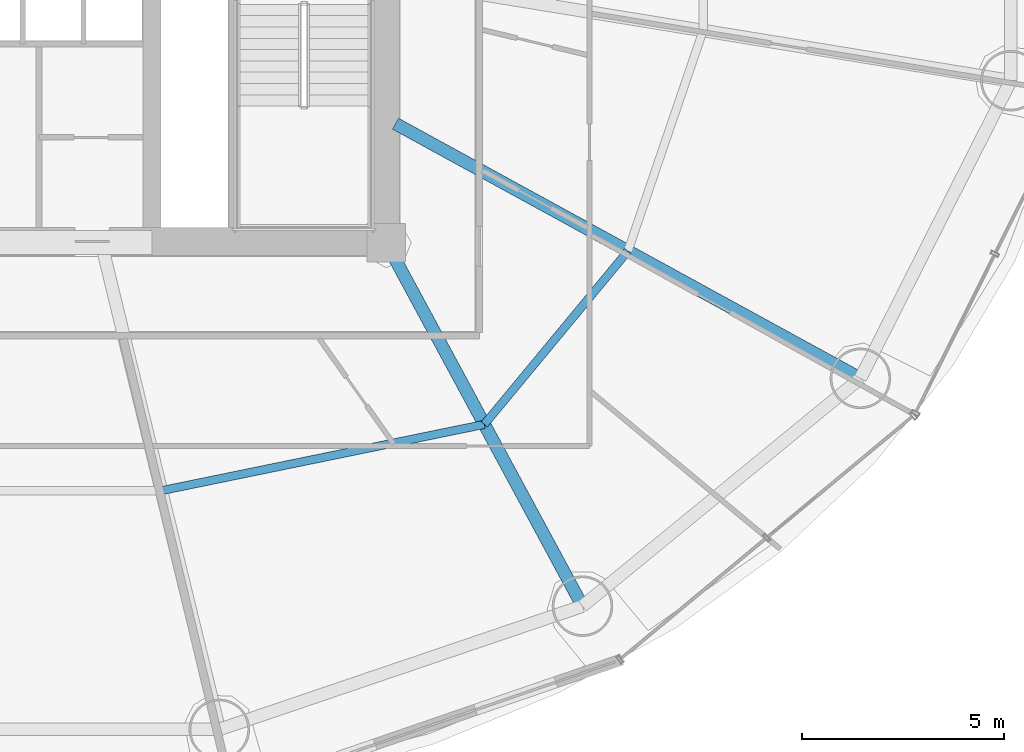
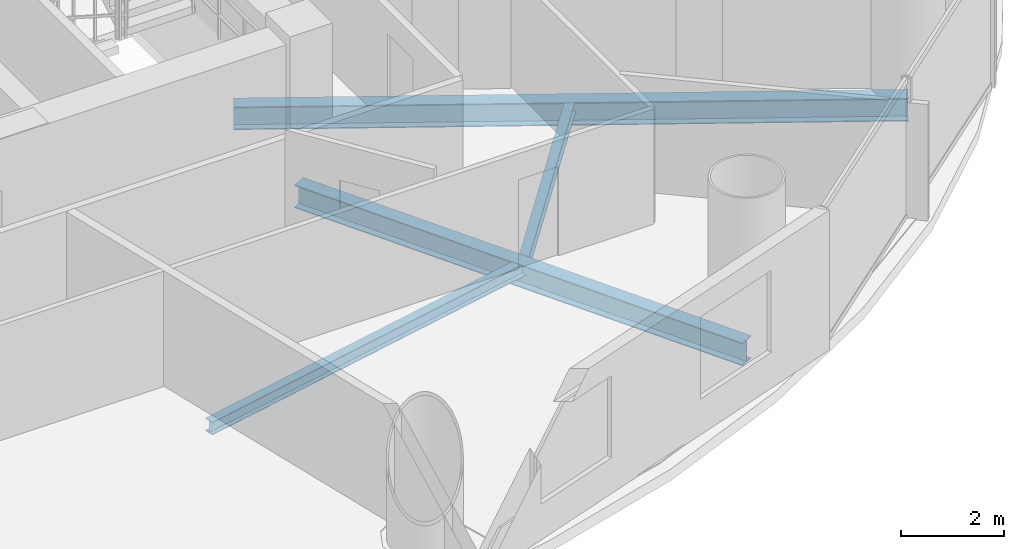
# One storey, part 12 of 29: 4 beams.
"""IFC4 building model written with IfcOpenShell, lengths in metres."""

from ifc_helpers import new_model, si_unit, direction, frame, origin, origin_2d, place, context, subcontext, project, spatial, i_section, extrude, material, material_profile, profile_set, type_object, element, save


model = new_model("IFC4")

# Units and contexts
model_context = context("Model", 3, precision=1e-05, world=origin(), true_north=direction((-0.2419218956, 0.970295726276)))
body_context = subcontext(model_context, "Body", "Model", "MODEL_VIEW")
ifc_project = project(units=[si_unit("LENGTHUNIT", "METRE"), si_unit("AREAUNIT", "SQUARE_METRE"), si_unit("VOLUMEUNIT", "CUBIC_METRE"), si_unit("PLANEANGLEUNIT", "RADIAN"), si_unit("MASSUNIT", "GRAM", prefix="KILO")], contexts=[model_context])

# Site, building, storey
site_placement = place(None, origin())
site = spatial("IfcSite", under=ifc_project, at=site_placement, CompositionType="ELEMENT")
building_placement = place(site_placement, origin())
building = spatial("IfcBuilding", under=site, at=building_placement, Name="Cobrevalo Terracotta Tower", CompositionType="ELEMENT")
storey_placement = place(building_placement, frame((0.0, 0.0, 87.0)))
storey = spatial("IfcBuildingStorey", under=building, at=storey_placement, Name="L22", CompositionType="ELEMENT", Elevation=87.0)

# Beams
ifc_material = material(Name="Steel S355", Category="steel")
ifc_material_profile_1 = material_profile(ifc_material, i_section(OverallWidth=0.31201171875, OverallDepth=0.54296875, WebThickness=0.0126953125, FlangeThickness=0.020263671875, at=origin_2d()), Name="W 530x150")
ifc_profile_set_1 = profile_set([ifc_material_profile_1], Name="Steel S355")
beam_type_1 = type_object("IfcBeamType", Name="Structural Beam W 530x150 (Steel S355)", PredefinedType="BEAM", material=ifc_profile_set_1)
beam_1_placement = place(storey_placement, frame((51.861572265625, 9.79638671875, -0.54638671875), z_axis=(-0.475118249298, 0.879921956303, 0.0), x_axis=(-0.879921956303, -0.475118249298, 0.0)))
element("IfcBeam", 1, at=beam_1_placement, inside=storey, type_object=beam_type_1, Name="L22 radial floor girder 14", PredefinedType="BEAM", context=body_context, shape_type="SweptSolid", body=[
    extrude(i_section(OverallWidth=0.31201171875, OverallDepth=0.54296875, WebThickness=0.0126953125, FlangeThickness=0.020263671875, at=origin_2d()), origin(), (0.0, 0.0, 1.0), 10.232421875),
])
beam_2_placement = place(storey_placement, frame((58.7451171875, 15.4384765625, -0.54638671875), z_axis=(-0.877072765004, 0.480357538599, 0.0), x_axis=(-0.480357538599, -0.877072765004, 0.0)))
element("IfcBeam", 2, at=beam_2_placement, inside=storey, type_object=beam_type_1, Name="L22 radial floor girder 15", PredefinedType="BEAM", context=body_context, shape_type="SweptSolid", body=[
    extrude(i_section(OverallWidth=0.31201171875, OverallDepth=0.54296875, WebThickness=0.0126953125, FlangeThickness=0.020263671875, at=origin_2d()), origin(), (0.0, 0.0, 1.0), 13.129150390625),
])
ifc_material_profile_2 = material_profile(ifc_material, i_section(OverallWidth=0.2041015625, OverallDepth=0.305908203125, WebThickness=0.008544921875, FlangeThickness=0.0146484375, at=origin_2d()), Name="W 310x67")
ifc_profile_set_2 = profile_set([ifc_material_profile_2], Name="Steel S355")
beam_type_2 = type_object("IfcBeamType", Name="Structural Joist W 310x67 (Steel S355)", PredefinedType="JOIST", material=ifc_profile_set_2)
beam_3_placement = place(storey_placement, frame((41.432373046875, 12.656494140625, -0.427978515625), z_axis=(0.979574469315, 0.201081722357, 0.0), x_axis=(-0.201081722357, 0.979574469315, 0.0)))
element("IfcBeam", 3, at=beam_3_placement, inside=storey, type_object=beam_type_2, Name="L22 circumferential secondary floor joist 13", PredefinedType="JOIST", context=body_context, shape_type="SweptSolid", body=[
    extrude(i_section(OverallWidth=0.2041015625, OverallDepth=0.305908203125, WebThickness=0.008544921875, FlangeThickness=0.0146484375, at=origin_2d()), origin(), (0.0, 0.0, 1.0), 8.1650390625),
])
beam_4_placement = place(storey_placement, frame((49.4306640625, 14.29833984375, -0.427978515625), z_axis=(0.6379592588, 0.77007011636, 0.0), x_axis=(-0.77007011636, 0.6379592588, 0.0)))
element("IfcBeam", 4, at=beam_4_placement, inside=storey, type_object=beam_type_2, Name="L22 circumferential secondary floor joist 14", PredefinedType="JOIST", context=body_context, shape_type="SweptSolid", body=[
    extrude(i_section(OverallWidth=0.2041015625, OverallDepth=0.305908203125, WebThickness=0.008544921875, FlangeThickness=0.0146484375, at=origin_2d()), origin(), (0.0, 0.0, 1.0), 5.575439453125),
])

save(model, "model.ifc")
